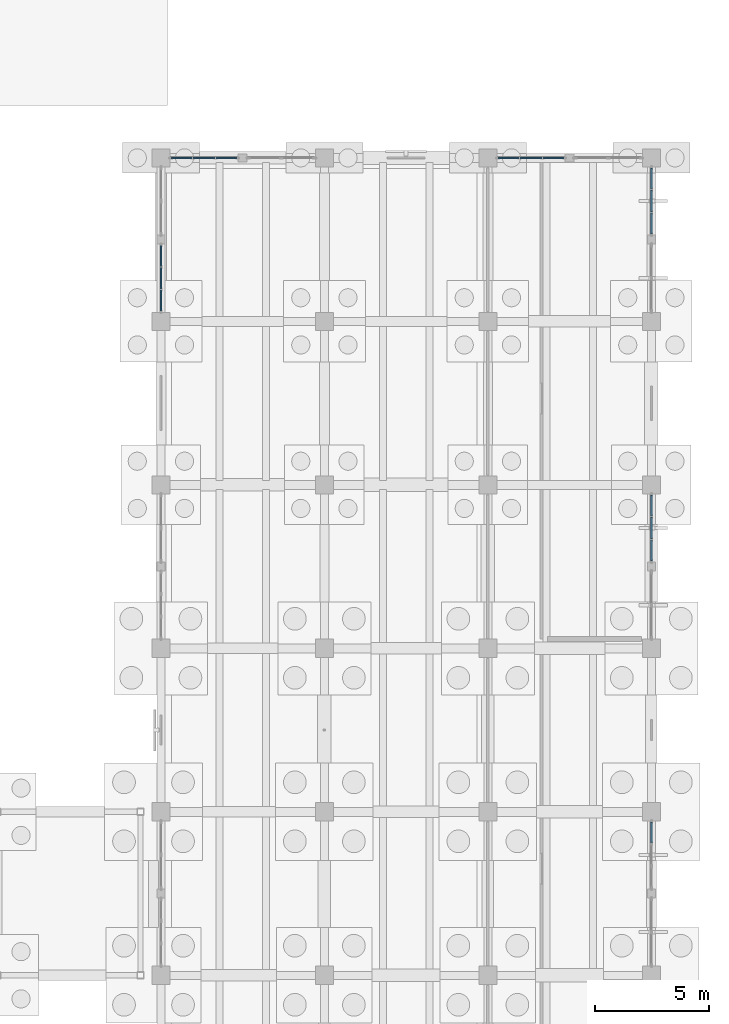
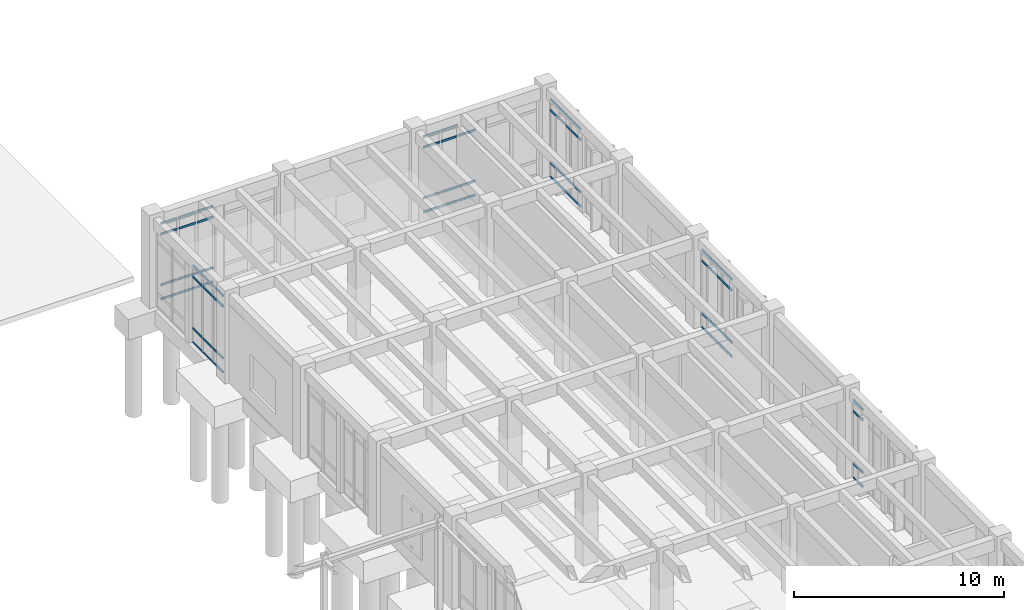
# One storey, part 47 of 93: 63 members, 6 elements without a shape of their own.
"""IFC4 building model written with IfcOpenShell, lengths in metres."""

from ifc_helpers import new_model, si_unit, direction, frame, origin, origin_2d, place, context, subcontext, project, spatial, rectangle, extrude, material, layer, layer_set, material_profile, profile_set, type_object, element, aggregate, save


model = new_model("IFC4")

# Units and contexts
model_context = context("Model", 3, precision=1e-05, world=origin(), true_north=direction((0.0, 1.0)))
body_context = subcontext(model_context, "Body", "Model", "MODEL_VIEW")
ifc_project = project(units=[si_unit("LENGTHUNIT", "METRE"), si_unit("AREAUNIT", "SQUARE_METRE"), si_unit("VOLUMEUNIT", "CUBIC_METRE"), si_unit("PLANEANGLEUNIT", "RADIAN"), si_unit("MASSUNIT", "GRAM", prefix="KILO")], contexts=[model_context])

# Site, building, storey
site_placement = place(None, origin())
site = spatial("IfcSite", under=ifc_project, at=site_placement, CompositionType="ELEMENT")
building_placement = place(site_placement, origin())
building = spatial("IfcBuilding", under=site, at=building_placement, Name="Koriwan Promenade Central Fire Station", CompositionType="ELEMENT")
storey_placement = place(building_placement, origin())
storey = spatial("IfcBuildingStorey", under=building, at=storey_placement, Name="L00", CompositionType="ELEMENT", Elevation=0.0)

# Curtain wall, members
ifc_material_1 = material(Name="Aluminium EN AW-6063-T6 and low-E glazing", Category="aluminium")
ifc_layer_1 = layer(ifc_material_1, 0.159912109375, Name="Aluminium EN AW-6063-T6 and low-E glazing")
ifc_layer_set_1 = layer_set([ifc_layer_1], Name="Aluminium EN AW-6063-T6 and low-E glazing")
curtain_wall_type_1 = type_object("IfcCurtainWallType", Name="CurtainWall_53_300x450", PredefinedType="USERDEFINED", material=ifc_layer_set_1)
curtain_wall_1_placement = place(storey_placement, origin())
curtain_wall_1 = element("IfcCurtainWall", 1, at=curtain_wall_1_placement, inside=storey, type_object=curtain_wall_type_1, Name="V5 L00 unitised curtain wall 143", ObjectType="UNITISED CURTAIN WALL", PredefinedType="USERDEFINED")
ifc_material_2 = material(Name="Aluminium EN AW-6063-T6", Category="aluminium")
ifc_material_profile = material_profile(ifc_material_2, rectangle(XDim=0.06494140625, YDim=0.1201171875, at=origin_2d()), Name="ALU-TRN-65x120")
ifc_profile_set = profile_set([ifc_material_profile], Name="Aluminium EN AW-6063-T6")
member_type = type_object("IfcMemberType", Name="CWTransom_ALU-TRN-65x120", PredefinedType="USERDEFINED", material=ifc_profile_set)
member_1_placement = place(storey_placement, frame((151.199951171875, 72.465087890625, 0.032470703125), z_axis=(0.0, 1.0, 0.0), x_axis=(-1.0, 0.0, 0.0)))
member_1 = element("IfcMember", 2, at=member_1_placement, type_object=member_type, Name="CW-53 transom 1.1", ObjectType="TRANSOM", PredefinedType="USERDEFINED", context=body_context, shape_type="SweptSolid", body=[
    extrude(rectangle(XDim=0.06494140625, YDim=0.1201171875, at=origin_2d()), origin(), (0.0, 0.0, 1.0), 0.90234375),
])
member_2_placement = place(storey_placement, frame((151.199951171875, 72.465087890625, 0.85009765625), z_axis=(0.0, 1.0, 0.0), x_axis=(-1.0, 0.0, 0.0)))
member_2 = element("IfcMember", 3, at=member_2_placement, type_object=member_type, Name="CW-53 transom 1.2", ObjectType="TRANSOM", PredefinedType="USERDEFINED", context=body_context, shape_type="SweptSolid", body=[
    extrude(rectangle(XDim=0.06494140625, YDim=0.1201171875, at=origin_2d()), origin(), (0.0, 0.0, 1.0), 0.90234375),
])
member_3_placement = place(storey_placement, frame((151.199951171875, 72.465087890625, 3.85009765625), z_axis=(0.0, 1.0, 0.0), x_axis=(-1.0, 0.0, 0.0)))
member_3 = element("IfcMember", 4, at=member_3_placement, type_object=member_type, Name="CW-53 transom 1.3", ObjectType="TRANSOM", PredefinedType="USERDEFINED", context=body_context, shape_type="SweptSolid", body=[
    extrude(rectangle(XDim=0.06494140625, YDim=0.1201171875, at=origin_2d()), origin(), (0.0, 0.0, 1.0), 0.90234375),
])
member_4_placement = place(storey_placement, frame((151.199951171875, 72.465087890625, 4.467529296875), z_axis=(0.0, 1.0, 0.0), x_axis=(-1.0, 0.0, 0.0)))
member_4 = element("IfcMember", 5, at=member_4_placement, type_object=member_type, Name="CW-53 transom 1.4", ObjectType="TRANSOM", PredefinedType="USERDEFINED", context=body_context, shape_type="SweptSolid", body=[
    extrude(rectangle(XDim=0.06494140625, YDim=0.1201171875, at=origin_2d()), origin(), (0.0, 0.0, 1.0), 0.90234375),
])
member_5_placement = place(storey_placement, frame((151.199951171875, 73.4326171875, 0.032470703125), z_axis=(0.0, 1.0, 0.0), x_axis=(-1.0, 0.0, 0.0)))
member_5 = element("IfcMember", 6, at=member_5_placement, type_object=member_type, Name="CW-53 transom 2.1", ObjectType="TRANSOM", PredefinedType="USERDEFINED", context=body_context, shape_type="SweptSolid", body=[
    extrude(rectangle(XDim=0.06494140625, YDim=0.1201171875, at=origin_2d()), origin(), (0.0, 0.0, 1.0), 0.934814453125),
])
member_6_placement = place(storey_placement, frame((151.199951171875, 73.4326171875, 0.85009765625), z_axis=(0.0, 1.0, 0.0), x_axis=(-1.0, 0.0, 0.0)))
member_6 = element("IfcMember", 7, at=member_6_placement, type_object=member_type, Name="CW-53 transom 2.2", ObjectType="TRANSOM", PredefinedType="USERDEFINED", context=body_context, shape_type="SweptSolid", body=[
    extrude(rectangle(XDim=0.06494140625, YDim=0.1201171875, at=origin_2d()), origin(), (0.0, 0.0, 1.0), 0.934814453125),
])
member_7_placement = place(storey_placement, frame((151.199951171875, 73.4326171875, 3.85009765625), z_axis=(0.0, 1.0, 0.0), x_axis=(-1.0, 0.0, 0.0)))
member_7 = element("IfcMember", 8, at=member_7_placement, type_object=member_type, Name="CW-53 transom 2.3", ObjectType="TRANSOM", PredefinedType="USERDEFINED", context=body_context, shape_type="SweptSolid", body=[
    extrude(rectangle(XDim=0.06494140625, YDim=0.1201171875, at=origin_2d()), origin(), (0.0, 0.0, 1.0), 0.934814453125),
])
member_8_placement = place(storey_placement, frame((151.199951171875, 73.4326171875, 4.467529296875), z_axis=(0.0, 1.0, 0.0), x_axis=(-1.0, 0.0, 0.0)))
member_8 = element("IfcMember", 9, at=member_8_placement, type_object=member_type, Name="CW-53 transom 2.4", ObjectType="TRANSOM", PredefinedType="USERDEFINED", context=body_context, shape_type="SweptSolid", body=[
    extrude(rectangle(XDim=0.06494140625, YDim=0.1201171875, at=origin_2d()), origin(), (0.0, 0.0, 1.0), 0.934814453125),
])
member_9_placement = place(storey_placement, frame((151.199951171875, 74.4326171875, 0.032470703125), z_axis=(0.0, 1.0, 0.0), x_axis=(-1.0, 0.0, 0.0)))
member_9 = element("IfcMember", 10, at=member_9_placement, type_object=member_type, Name="CW-53 transom 3.1", ObjectType="TRANSOM", PredefinedType="USERDEFINED", context=body_context, shape_type="SweptSolid", body=[
    extrude(rectangle(XDim=0.06494140625, YDim=0.1201171875, at=origin_2d()), origin(), (0.0, 0.0, 1.0), 0.90234375),
])
member_10_placement = place(storey_placement, frame((151.199951171875, 74.4326171875, 0.85009765625), z_axis=(0.0, 1.0, 0.0), x_axis=(-1.0, 0.0, 0.0)))
member_10 = element("IfcMember", 11, at=member_10_placement, type_object=member_type, Name="CW-53 transom 3.2", ObjectType="TRANSOM", PredefinedType="USERDEFINED", context=body_context, shape_type="SweptSolid", body=[
    extrude(rectangle(XDim=0.06494140625, YDim=0.1201171875, at=origin_2d()), origin(), (0.0, 0.0, 1.0), 0.90234375),
])
member_11_placement = place(storey_placement, frame((151.199951171875, 74.4326171875, 3.85009765625), z_axis=(0.0, 1.0, 0.0), x_axis=(-1.0, 0.0, 0.0)))
member_11 = element("IfcMember", 12, at=member_11_placement, type_object=member_type, Name="CW-53 transom 3.3", ObjectType="TRANSOM", PredefinedType="USERDEFINED", context=body_context, shape_type="SweptSolid", body=[
    extrude(rectangle(XDim=0.06494140625, YDim=0.1201171875, at=origin_2d()), origin(), (0.0, 0.0, 1.0), 0.90234375),
])
member_12_placement = place(storey_placement, frame((151.199951171875, 74.4326171875, 4.467529296875), z_axis=(0.0, 1.0, 0.0), x_axis=(-1.0, 0.0, 0.0)))
member_12 = element("IfcMember", 13, at=member_12_placement, type_object=member_type, Name="CW-53 transom 3.4", ObjectType="TRANSOM", PredefinedType="USERDEFINED", context=body_context, shape_type="SweptSolid", body=[
    extrude(rectangle(XDim=0.06494140625, YDim=0.1201171875, at=origin_2d()), origin(), (0.0, 0.0, 1.0), 0.90234375),
])
aggregate(curtain_wall_1, [member_1, member_2, member_3, member_4, member_5, member_6, member_7, member_8, member_9, member_10, member_11, member_12])

ifc_layer_2 = layer(ifc_material_1, 0.159912109375, Name="Aluminium EN AW-6063-T6 and low-E glazing")
ifc_layer_set_2 = layer_set([ifc_layer_2], Name="Aluminium EN AW-6063-T6 and low-E glazing")
curtain_wall_type_2 = type_object("IfcCurtainWallType", Name="CurtainWall_55_300x445", PredefinedType="USERDEFINED", material=ifc_layer_set_2)
curtain_wall_2_placement = place(storey_placement, origin())
curtain_wall_2 = element("IfcCurtainWall", 14, at=curtain_wall_2_placement, inside=storey, type_object=curtain_wall_type_2, Name="V5 L00 unitised curtain wall 145", ObjectType="UNITISED CURTAIN WALL", PredefinedType="USERDEFINED")
member_13_placement = place(storey_placement, frame((151.6650390625, 79.199951171875, 0.032470703125), z_axis=(1.0, 0.0, 0.0), x_axis=(0.0, 1.0, 0.0)))
member_13 = element("IfcMember", 15, at=member_13_placement, type_object=member_type, Name="CW-55 transom 1.1", ObjectType="TRANSOM", PredefinedType="USERDEFINED", context=body_context, shape_type="SweptSolid", body=[
    extrude(rectangle(XDim=0.06494140625, YDim=0.1201171875, at=origin_2d()), origin(), (0.0, 0.0, 1.0), 0.90234375),
])
member_14_placement = place(storey_placement, frame((151.6650390625, 79.199951171875, 0.85009765625), z_axis=(1.0, 0.0, 0.0), x_axis=(0.0, 1.0, 0.0)))
member_14 = element("IfcMember", 16, at=member_14_placement, type_object=member_type, Name="CW-55 transom 1.2", ObjectType="TRANSOM", PredefinedType="USERDEFINED", context=body_context, shape_type="SweptSolid", body=[
    extrude(rectangle(XDim=0.06494140625, YDim=0.1201171875, at=origin_2d()), origin(), (0.0, 0.0, 1.0), 0.90234375),
])
member_15_placement = place(storey_placement, frame((151.6650390625, 79.199951171875, 3.800048828125), z_axis=(1.0, 0.0, 0.0), x_axis=(0.0, 1.0, 0.0)))
member_15 = element("IfcMember", 17, at=member_15_placement, type_object=member_type, Name="CW-55 transom 1.3", ObjectType="TRANSOM", PredefinedType="USERDEFINED", context=body_context, shape_type="SweptSolid", body=[
    extrude(rectangle(XDim=0.06494140625, YDim=0.1201171875, at=origin_2d()), origin(), (0.0, 0.0, 1.0), 0.90234375),
])
member_16_placement = place(storey_placement, frame((151.6650390625, 79.199951171875, 4.41748046875), z_axis=(1.0, 0.0, 0.0), x_axis=(0.0, 1.0, 0.0)))
member_16 = element("IfcMember", 18, at=member_16_placement, type_object=member_type, Name="CW-55 transom 1.4", ObjectType="TRANSOM", PredefinedType="USERDEFINED", context=body_context, shape_type="SweptSolid", body=[
    extrude(rectangle(XDim=0.06494140625, YDim=0.1201171875, at=origin_2d()), origin(), (0.0, 0.0, 1.0), 0.90234375),
])
member_17_placement = place(storey_placement, frame((152.632568359375, 79.199951171875, 0.032470703125), z_axis=(1.0, 0.0, 0.0), x_axis=(0.0, 1.0, 0.0)))
member_17 = element("IfcMember", 19, at=member_17_placement, type_object=member_type, Name="CW-55 transom 2.1", ObjectType="TRANSOM", PredefinedType="USERDEFINED", context=body_context, shape_type="SweptSolid", body=[
    extrude(rectangle(XDim=0.06494140625, YDim=0.1201171875, at=origin_2d()), origin(), (0.0, 0.0, 1.0), 0.934814453125),
])
member_18_placement = place(storey_placement, frame((152.632568359375, 79.199951171875, 0.85009765625), z_axis=(1.0, 0.0, 0.0), x_axis=(0.0, 1.0, 0.0)))
member_18 = element("IfcMember", 20, at=member_18_placement, type_object=member_type, Name="CW-55 transom 2.2", ObjectType="TRANSOM", PredefinedType="USERDEFINED", context=body_context, shape_type="SweptSolid", body=[
    extrude(rectangle(XDim=0.06494140625, YDim=0.1201171875, at=origin_2d()), origin(), (0.0, 0.0, 1.0), 0.934814453125),
])
member_19_placement = place(storey_placement, frame((152.632568359375, 79.199951171875, 3.800048828125), z_axis=(1.0, 0.0, 0.0), x_axis=(0.0, 1.0, 0.0)))
member_19 = element("IfcMember", 21, at=member_19_placement, type_object=member_type, Name="CW-55 transom 2.3", ObjectType="TRANSOM", PredefinedType="USERDEFINED", context=body_context, shape_type="SweptSolid", body=[
    extrude(rectangle(XDim=0.06494140625, YDim=0.1201171875, at=origin_2d()), origin(), (0.0, 0.0, 1.0), 0.934814453125),
])
member_20_placement = place(storey_placement, frame((152.632568359375, 79.199951171875, 4.41748046875), z_axis=(1.0, 0.0, 0.0), x_axis=(0.0, 1.0, 0.0)))
member_20 = element("IfcMember", 22, at=member_20_placement, type_object=member_type, Name="CW-55 transom 2.4", ObjectType="TRANSOM", PredefinedType="USERDEFINED", context=body_context, shape_type="SweptSolid", body=[
    extrude(rectangle(XDim=0.06494140625, YDim=0.1201171875, at=origin_2d()), origin(), (0.0, 0.0, 1.0), 0.934814453125),
])
member_21_placement = place(storey_placement, frame((153.632568359375, 79.199951171875, 0.032470703125), z_axis=(1.0, 0.0, 0.0), x_axis=(0.0, 1.0, 0.0)))
member_21 = element("IfcMember", 23, at=member_21_placement, type_object=member_type, Name="CW-55 transom 3.1", ObjectType="TRANSOM", PredefinedType="USERDEFINED", context=body_context, shape_type="SweptSolid", body=[
    extrude(rectangle(XDim=0.06494140625, YDim=0.1201171875, at=origin_2d()), origin(), (0.0, 0.0, 1.0), 0.90234375),
])
member_22_placement = place(storey_placement, frame((153.632568359375, 79.199951171875, 0.85009765625), z_axis=(1.0, 0.0, 0.0), x_axis=(0.0, 1.0, 0.0)))
member_22 = element("IfcMember", 24, at=member_22_placement, type_object=member_type, Name="CW-55 transom 3.2", ObjectType="TRANSOM", PredefinedType="USERDEFINED", context=body_context, shape_type="SweptSolid", body=[
    extrude(rectangle(XDim=0.06494140625, YDim=0.1201171875, at=origin_2d()), origin(), (0.0, 0.0, 1.0), 0.90234375),
])
member_23_placement = place(storey_placement, frame((153.632568359375, 79.199951171875, 3.800048828125), z_axis=(1.0, 0.0, 0.0), x_axis=(0.0, 1.0, 0.0)))
member_23 = element("IfcMember", 25, at=member_23_placement, type_object=member_type, Name="CW-55 transom 3.3", ObjectType="TRANSOM", PredefinedType="USERDEFINED", context=body_context, shape_type="SweptSolid", body=[
    extrude(rectangle(XDim=0.06494140625, YDim=0.1201171875, at=origin_2d()), origin(), (0.0, 0.0, 1.0), 0.90234375),
])
member_24_placement = place(storey_placement, frame((153.632568359375, 79.199951171875, 4.41748046875), z_axis=(1.0, 0.0, 0.0), x_axis=(0.0, 1.0, 0.0)))
member_24 = element("IfcMember", 26, at=member_24_placement, type_object=member_type, Name="CW-55 transom 3.4", ObjectType="TRANSOM", PredefinedType="USERDEFINED", context=body_context, shape_type="SweptSolid", body=[
    extrude(rectangle(XDim=0.06494140625, YDim=0.1201171875, at=origin_2d()), origin(), (0.0, 0.0, 1.0), 0.90234375),
])
aggregate(curtain_wall_2, [member_13, member_14, member_15, member_16, member_17, member_18, member_19, member_20, member_21, member_22, member_23, member_24])

curtain_wall_3_placement = place(storey_placement, origin())
curtain_wall_3 = element("IfcCurtainWall", 27, at=curtain_wall_3_placement, inside=storey, type_object=curtain_wall_type_2, Name="V5 L00 unitised curtain wall 147", ObjectType="UNITISED CURTAIN WALL", PredefinedType="USERDEFINED")
member_25_placement = place(storey_placement, frame((166.06494140625, 79.199951171875, 0.032470703125), z_axis=(1.0, 0.0, 0.0), x_axis=(0.0, 1.0, 0.0)))
member_25 = element("IfcMember", 28, at=member_25_placement, type_object=member_type, Name="CW-55 transom 1.1", ObjectType="TRANSOM", PredefinedType="USERDEFINED", context=body_context, shape_type="SweptSolid", body=[
    extrude(rectangle(XDim=0.06494140625, YDim=0.1201171875, at=origin_2d()), origin(), (0.0, 0.0, 1.0), 0.902587890625),
])
member_26_placement = place(storey_placement, frame((166.06494140625, 79.199951171875, 0.85009765625), z_axis=(1.0, 0.0, 0.0), x_axis=(0.0, 1.0, 0.0)))
member_26 = element("IfcMember", 29, at=member_26_placement, type_object=member_type, Name="CW-55 transom 1.2", ObjectType="TRANSOM", PredefinedType="USERDEFINED", context=body_context, shape_type="SweptSolid", body=[
    extrude(rectangle(XDim=0.06494140625, YDim=0.1201171875, at=origin_2d()), origin(), (0.0, 0.0, 1.0), 0.902587890625),
])
member_27_placement = place(storey_placement, frame((166.06494140625, 79.199951171875, 3.800048828125), z_axis=(1.0, 0.0, 0.0), x_axis=(0.0, 1.0, 0.0)))
member_27 = element("IfcMember", 30, at=member_27_placement, type_object=member_type, Name="CW-55 transom 1.3", ObjectType="TRANSOM", PredefinedType="USERDEFINED", context=body_context, shape_type="SweptSolid", body=[
    extrude(rectangle(XDim=0.06494140625, YDim=0.1201171875, at=origin_2d()), origin(), (0.0, 0.0, 1.0), 0.902587890625),
])
member_28_placement = place(storey_placement, frame((166.06494140625, 79.199951171875, 4.41748046875), z_axis=(1.0, 0.0, 0.0), x_axis=(0.0, 1.0, 0.0)))
member_28 = element("IfcMember", 31, at=member_28_placement, type_object=member_type, Name="CW-55 transom 1.4", ObjectType="TRANSOM", PredefinedType="USERDEFINED", context=body_context, shape_type="SweptSolid", body=[
    extrude(rectangle(XDim=0.06494140625, YDim=0.1201171875, at=origin_2d()), origin(), (0.0, 0.0, 1.0), 0.902587890625),
])
member_29_placement = place(storey_placement, frame((167.032470703125, 79.199951171875, 0.032470703125), z_axis=(1.0, 0.0, 0.0), x_axis=(0.0, 1.0, 0.0)))
member_29 = element("IfcMember", 32, at=member_29_placement, type_object=member_type, Name="CW-55 transom 2.1", ObjectType="TRANSOM", PredefinedType="USERDEFINED", context=body_context, shape_type="SweptSolid", body=[
    extrude(rectangle(XDim=0.06494140625, YDim=0.1201171875, at=origin_2d()), origin(), (0.0, 0.0, 1.0), 0.93505859375),
])
member_30_placement = place(storey_placement, frame((167.032470703125, 79.199951171875, 0.85009765625), z_axis=(1.0, 0.0, 0.0), x_axis=(0.0, 1.0, 0.0)))
member_30 = element("IfcMember", 33, at=member_30_placement, type_object=member_type, Name="CW-55 transom 2.2", ObjectType="TRANSOM", PredefinedType="USERDEFINED", context=body_context, shape_type="SweptSolid", body=[
    extrude(rectangle(XDim=0.06494140625, YDim=0.1201171875, at=origin_2d()), origin(), (0.0, 0.0, 1.0), 0.93505859375),
])
member_31_placement = place(storey_placement, frame((167.032470703125, 79.199951171875, 3.800048828125), z_axis=(1.0, 0.0, 0.0), x_axis=(0.0, 1.0, 0.0)))
member_31 = element("IfcMember", 34, at=member_31_placement, type_object=member_type, Name="CW-55 transom 2.3", ObjectType="TRANSOM", PredefinedType="USERDEFINED", context=body_context, shape_type="SweptSolid", body=[
    extrude(rectangle(XDim=0.06494140625, YDim=0.1201171875, at=origin_2d()), origin(), (0.0, 0.0, 1.0), 0.93505859375),
])
member_32_placement = place(storey_placement, frame((167.032470703125, 79.199951171875, 4.41748046875), z_axis=(1.0, 0.0, 0.0), x_axis=(0.0, 1.0, 0.0)))
member_32 = element("IfcMember", 35, at=member_32_placement, type_object=member_type, Name="CW-55 transom 2.4", ObjectType="TRANSOM", PredefinedType="USERDEFINED", context=body_context, shape_type="SweptSolid", body=[
    extrude(rectangle(XDim=0.06494140625, YDim=0.1201171875, at=origin_2d()), origin(), (0.0, 0.0, 1.0), 0.93505859375),
])
member_33_placement = place(storey_placement, frame((168.032470703125, 79.199951171875, 0.032470703125), z_axis=(1.0, 0.0, 0.0), x_axis=(0.0, 1.0, 0.0)))
member_33 = element("IfcMember", 36, at=member_33_placement, type_object=member_type, Name="CW-55 transom 3.1", ObjectType="TRANSOM", PredefinedType="USERDEFINED", context=body_context, shape_type="SweptSolid", body=[
    extrude(rectangle(XDim=0.06494140625, YDim=0.1201171875, at=origin_2d()), origin(), (0.0, 0.0, 1.0), 0.902587890625),
])
member_34_placement = place(storey_placement, frame((168.032470703125, 79.199951171875, 0.85009765625), z_axis=(1.0, 0.0, 0.0), x_axis=(0.0, 1.0, 0.0)))
member_34 = element("IfcMember", 37, at=member_34_placement, type_object=member_type, Name="CW-55 transom 3.2", ObjectType="TRANSOM", PredefinedType="USERDEFINED", context=body_context, shape_type="SweptSolid", body=[
    extrude(rectangle(XDim=0.06494140625, YDim=0.1201171875, at=origin_2d()), origin(), (0.0, 0.0, 1.0), 0.902587890625),
])
member_35_placement = place(storey_placement, frame((168.032470703125, 79.199951171875, 3.800048828125), z_axis=(1.0, 0.0, 0.0), x_axis=(0.0, 1.0, 0.0)))
member_35 = element("IfcMember", 38, at=member_35_placement, type_object=member_type, Name="CW-55 transom 3.3", ObjectType="TRANSOM", PredefinedType="USERDEFINED", context=body_context, shape_type="SweptSolid", body=[
    extrude(rectangle(XDim=0.06494140625, YDim=0.1201171875, at=origin_2d()), origin(), (0.0, 0.0, 1.0), 0.902587890625),
])
aggregate(curtain_wall_3, [member_25, member_26, member_27, member_28, member_29, member_30, member_31, member_32, member_33, member_34, member_35])

ifc_layer_3 = layer(ifc_material_1, 0.159912109375, Name="Aluminium EN AW-6063-T6 and low-E glazing")
ifc_layer_set_3 = layer_set([ifc_layer_3], Name="Aluminium EN AW-6063-T6 and low-E glazing")
curtain_wall_type_3 = type_object("IfcCurtainWallType", Name="CurtainWall_57_300x455", PredefinedType="USERDEFINED", material=ifc_layer_set_3)
curtain_wall_4_placement = place(storey_placement, origin())
curtain_wall_4 = element("IfcCurtainWall", 39, at=curtain_wall_4_placement, inside=storey, type_object=curtain_wall_type_3, Name="V5 L00 unitised curtain wall 149", ObjectType="UNITISED CURTAIN WALL", PredefinedType="USERDEFINED")
member_36_placement = place(storey_placement, frame((172.800048828125, 78.735107421875, 0.032470703125), z_axis=(0.0, -1.0, 0.0), x_axis=(1.0, 0.0, 0.0)))
member_36 = element("IfcMember", 40, at=member_36_placement, type_object=member_type, Name="CW-57 transom 1.1", ObjectType="TRANSOM", PredefinedType="USERDEFINED", context=body_context, shape_type="SweptSolid", body=[
    extrude(rectangle(XDim=0.06494140625, YDim=0.1201171875, at=origin_2d()), origin(), (0.0, 0.0, 1.0), 0.902587890625),
])
member_37_placement = place(storey_placement, frame((172.800048828125, 78.735107421875, 0.85009765625), z_axis=(0.0, -1.0, 0.0), x_axis=(1.0, 0.0, 0.0)))
member_37 = element("IfcMember", 41, at=member_37_placement, type_object=member_type, Name="CW-57 transom 1.2", ObjectType="TRANSOM", PredefinedType="USERDEFINED", context=body_context, shape_type="SweptSolid", body=[
    extrude(rectangle(XDim=0.06494140625, YDim=0.1201171875, at=origin_2d()), origin(), (0.0, 0.0, 1.0), 0.902587890625),
])
member_38_placement = place(storey_placement, frame((172.800048828125, 78.735107421875, 3.89990234375), z_axis=(0.0, -1.0, 0.0), x_axis=(1.0, 0.0, 0.0)))
member_38 = element("IfcMember", 42, at=member_38_placement, type_object=member_type, Name="CW-57 transom 1.3", ObjectType="TRANSOM", PredefinedType="USERDEFINED", context=body_context, shape_type="SweptSolid", body=[
    extrude(rectangle(XDim=0.06494140625, YDim=0.1201171875, at=origin_2d()), origin(), (0.0, 0.0, 1.0), 0.902587890625),
])
member_39_placement = place(storey_placement, frame((172.800048828125, 78.735107421875, 4.517578125), z_axis=(0.0, -1.0, 0.0), x_axis=(1.0, 0.0, 0.0)))
member_39 = element("IfcMember", 43, at=member_39_placement, type_object=member_type, Name="CW-57 transom 1.4", ObjectType="TRANSOM", PredefinedType="USERDEFINED", context=body_context, shape_type="SweptSolid", body=[
    extrude(rectangle(XDim=0.06494140625, YDim=0.1201171875, at=origin_2d()), origin(), (0.0, 0.0, 1.0), 0.902587890625),
])
member_40_placement = place(storey_placement, frame((172.800048828125, 77.767578125, 0.032470703125), z_axis=(0.0, -1.0, 0.0), x_axis=(1.0, 0.0, 0.0)))
member_40 = element("IfcMember", 44, at=member_40_placement, type_object=member_type, Name="CW-57 transom 2.1", ObjectType="TRANSOM", PredefinedType="USERDEFINED", context=body_context, shape_type="SweptSolid", body=[
    extrude(rectangle(XDim=0.06494140625, YDim=0.1201171875, at=origin_2d()), origin(), (0.0, 0.0, 1.0), 0.93505859375),
])
member_41_placement = place(storey_placement, frame((172.800048828125, 77.767578125, 0.85009765625), z_axis=(0.0, -1.0, 0.0), x_axis=(1.0, 0.0, 0.0)))
member_41 = element("IfcMember", 45, at=member_41_placement, type_object=member_type, Name="CW-57 transom 2.2", ObjectType="TRANSOM", PredefinedType="USERDEFINED", context=body_context, shape_type="SweptSolid", body=[
    extrude(rectangle(XDim=0.06494140625, YDim=0.1201171875, at=origin_2d()), origin(), (0.0, 0.0, 1.0), 0.93505859375),
])
member_42_placement = place(storey_placement, frame((172.800048828125, 77.767578125, 3.89990234375), z_axis=(0.0, -1.0, 0.0), x_axis=(1.0, 0.0, 0.0)))
member_42 = element("IfcMember", 46, at=member_42_placement, type_object=member_type, Name="CW-57 transom 2.3", ObjectType="TRANSOM", PredefinedType="USERDEFINED", context=body_context, shape_type="SweptSolid", body=[
    extrude(rectangle(XDim=0.06494140625, YDim=0.1201171875, at=origin_2d()), origin(), (0.0, 0.0, 1.0), 0.93505859375),
])
member_43_placement = place(storey_placement, frame((172.800048828125, 77.767578125, 4.517578125), z_axis=(0.0, -1.0, 0.0), x_axis=(1.0, 0.0, 0.0)))
member_43 = element("IfcMember", 47, at=member_43_placement, type_object=member_type, Name="CW-57 transom 2.4", ObjectType="TRANSOM", PredefinedType="USERDEFINED", context=body_context, shape_type="SweptSolid", body=[
    extrude(rectangle(XDim=0.06494140625, YDim=0.1201171875, at=origin_2d()), origin(), (0.0, 0.0, 1.0), 0.93505859375),
])
member_44_placement = place(storey_placement, frame((172.800048828125, 76.767578125, 0.032470703125), z_axis=(0.0, -1.0, 0.0), x_axis=(1.0, 0.0, 0.0)))
member_44 = element("IfcMember", 48, at=member_44_placement, type_object=member_type, Name="CW-57 transom 3.1", ObjectType="TRANSOM", PredefinedType="USERDEFINED", context=body_context, shape_type="SweptSolid", body=[
    extrude(rectangle(XDim=0.06494140625, YDim=0.1201171875, at=origin_2d()), origin(), (0.0, 0.0, 1.0), 0.902587890625),
])
member_45_placement = place(storey_placement, frame((172.800048828125, 76.767578125, 0.85009765625), z_axis=(0.0, -1.0, 0.0), x_axis=(1.0, 0.0, 0.0)))
member_45 = element("IfcMember", 49, at=member_45_placement, type_object=member_type, Name="CW-57 transom 3.2", ObjectType="TRANSOM", PredefinedType="USERDEFINED", context=body_context, shape_type="SweptSolid", body=[
    extrude(rectangle(XDim=0.06494140625, YDim=0.1201171875, at=origin_2d()), origin(), (0.0, 0.0, 1.0), 0.902587890625),
])
member_46_placement = place(storey_placement, frame((172.800048828125, 76.767578125, 3.89990234375), z_axis=(0.0, -1.0, 0.0), x_axis=(1.0, 0.0, 0.0)))
member_46 = element("IfcMember", 50, at=member_46_placement, type_object=member_type, Name="CW-57 transom 3.3", ObjectType="TRANSOM", PredefinedType="USERDEFINED", context=body_context, shape_type="SweptSolid", body=[
    extrude(rectangle(XDim=0.06494140625, YDim=0.1201171875, at=origin_2d()), origin(), (0.0, 0.0, 1.0), 0.902587890625),
])
member_47_placement = place(storey_placement, frame((172.800048828125, 76.767578125, 4.517578125), z_axis=(0.0, -1.0, 0.0), x_axis=(1.0, 0.0, 0.0)))
member_47 = element("IfcMember", 51, at=member_47_placement, type_object=member_type, Name="CW-57 transom 3.4", ObjectType="TRANSOM", PredefinedType="USERDEFINED", context=body_context, shape_type="SweptSolid", body=[
    extrude(rectangle(XDim=0.06494140625, YDim=0.1201171875, at=origin_2d()), origin(), (0.0, 0.0, 1.0), 0.902587890625),
])
aggregate(curtain_wall_4, [member_36, member_37, member_38, member_39, member_40, member_41, member_42, member_43, member_44, member_45, member_46, member_47])

ifc_layer_4 = layer(ifc_material_1, 0.159912109375, Name="Aluminium EN AW-6063-T6 and low-E glazing")
ifc_layer_set_4 = layer_set([ifc_layer_4], Name="Aluminium EN AW-6063-T6 and low-E glazing")
curtain_wall_type_4 = type_object("IfcCurtainWallType", Name="CurtainWall_59_300x454", PredefinedType="USERDEFINED", material=ifc_layer_set_4)
curtain_wall_5_placement = place(storey_placement, origin())
curtain_wall_5 = element("IfcCurtainWall", 52, at=curtain_wall_5_placement, inside=storey, type_object=curtain_wall_type_4, Name="V5 L00 unitised curtain wall 151", ObjectType="UNITISED CURTAIN WALL", PredefinedType="USERDEFINED")
member_48_placement = place(storey_placement, frame((172.800048828125, 64.3349609375, 0.032470703125), z_axis=(0.0, -1.0, 0.0), x_axis=(1.0, 0.0, 0.0)))
member_48 = element("IfcMember", 53, at=member_48_placement, type_object=member_type, Name="CW-59 transom 1.1", ObjectType="TRANSOM", PredefinedType="USERDEFINED", context=body_context, shape_type="SweptSolid", body=[
    extrude(rectangle(XDim=0.06494140625, YDim=0.1201171875, at=origin_2d()), origin(), (0.0, 0.0, 1.0), 0.90234375),
])
member_49_placement = place(storey_placement, frame((172.800048828125, 64.3349609375, 0.85009765625), z_axis=(0.0, -1.0, 0.0), x_axis=(1.0, 0.0, 0.0)))
member_49 = element("IfcMember", 54, at=member_49_placement, type_object=member_type, Name="CW-59 transom 1.2", ObjectType="TRANSOM", PredefinedType="USERDEFINED", context=body_context, shape_type="SweptSolid", body=[
    extrude(rectangle(XDim=0.06494140625, YDim=0.1201171875, at=origin_2d()), origin(), (0.0, 0.0, 1.0), 0.90234375),
])
member_50_placement = place(storey_placement, frame((172.800048828125, 64.3349609375, 3.889892578125), z_axis=(0.0, -1.0, 0.0), x_axis=(1.0, 0.0, 0.0)))
member_50 = element("IfcMember", 55, at=member_50_placement, type_object=member_type, Name="CW-59 transom 1.3", ObjectType="TRANSOM", PredefinedType="USERDEFINED", context=body_context, shape_type="SweptSolid", body=[
    extrude(rectangle(XDim=0.06494140625, YDim=0.1201171875, at=origin_2d()), origin(), (0.0, 0.0, 1.0), 0.90234375),
])
member_51_placement = place(storey_placement, frame((172.800048828125, 64.3349609375, 4.507568359375), z_axis=(0.0, -1.0, 0.0), x_axis=(1.0, 0.0, 0.0)))
member_51 = element("IfcMember", 56, at=member_51_placement, type_object=member_type, Name="CW-59 transom 1.4", ObjectType="TRANSOM", PredefinedType="USERDEFINED", context=body_context, shape_type="SweptSolid", body=[
    extrude(rectangle(XDim=0.06494140625, YDim=0.1201171875, at=origin_2d()), origin(), (0.0, 0.0, 1.0), 0.90234375),
])
member_52_placement = place(storey_placement, frame((172.800048828125, 63.367431640625, 0.032470703125), z_axis=(0.0, -1.0, 0.0), x_axis=(1.0, 0.0, 0.0)))
member_52 = element("IfcMember", 57, at=member_52_placement, type_object=member_type, Name="CW-59 transom 2.1", ObjectType="TRANSOM", PredefinedType="USERDEFINED", context=body_context, shape_type="SweptSolid", body=[
    extrude(rectangle(XDim=0.06494140625, YDim=0.1201171875, at=origin_2d()), origin(), (0.0, 0.0, 1.0), 0.934814453125),
])
member_53_placement = place(storey_placement, frame((172.800048828125, 63.367431640625, 0.85009765625), z_axis=(0.0, -1.0, 0.0), x_axis=(1.0, 0.0, 0.0)))
member_53 = element("IfcMember", 58, at=member_53_placement, type_object=member_type, Name="CW-59 transom 2.2", ObjectType="TRANSOM", PredefinedType="USERDEFINED", context=body_context, shape_type="SweptSolid", body=[
    extrude(rectangle(XDim=0.06494140625, YDim=0.1201171875, at=origin_2d()), origin(), (0.0, 0.0, 1.0), 0.934814453125),
])
member_54_placement = place(storey_placement, frame((172.800048828125, 63.367431640625, 3.889892578125), z_axis=(0.0, -1.0, 0.0), x_axis=(1.0, 0.0, 0.0)))
member_54 = element("IfcMember", 59, at=member_54_placement, type_object=member_type, Name="CW-59 transom 2.3", ObjectType="TRANSOM", PredefinedType="USERDEFINED", context=body_context, shape_type="SweptSolid", body=[
    extrude(rectangle(XDim=0.06494140625, YDim=0.1201171875, at=origin_2d()), origin(), (0.0, 0.0, 1.0), 0.934814453125),
])
member_55_placement = place(storey_placement, frame((172.800048828125, 63.367431640625, 4.507568359375), z_axis=(0.0, -1.0, 0.0), x_axis=(1.0, 0.0, 0.0)))
member_55 = element("IfcMember", 60, at=member_55_placement, type_object=member_type, Name="CW-59 transom 2.4", ObjectType="TRANSOM", PredefinedType="USERDEFINED", context=body_context, shape_type="SweptSolid", body=[
    extrude(rectangle(XDim=0.06494140625, YDim=0.1201171875, at=origin_2d()), origin(), (0.0, 0.0, 1.0), 0.934814453125),
])
member_56_placement = place(storey_placement, frame((172.800048828125, 62.367431640625, 0.032470703125), z_axis=(0.0, -1.0, 0.0), x_axis=(1.0, 0.0, 0.0)))
member_56 = element("IfcMember", 61, at=member_56_placement, type_object=member_type, Name="CW-59 transom 3.1", ObjectType="TRANSOM", PredefinedType="USERDEFINED", context=body_context, shape_type="SweptSolid", body=[
    extrude(rectangle(XDim=0.06494140625, YDim=0.1201171875, at=origin_2d()), origin(), (0.0, 0.0, 1.0), 0.90234375),
])
member_57_placement = place(storey_placement, frame((172.800048828125, 62.367431640625, 0.85009765625), z_axis=(0.0, -1.0, 0.0), x_axis=(1.0, 0.0, 0.0)))
member_57 = element("IfcMember", 62, at=member_57_placement, type_object=member_type, Name="CW-59 transom 3.2", ObjectType="TRANSOM", PredefinedType="USERDEFINED", context=body_context, shape_type="SweptSolid", body=[
    extrude(rectangle(XDim=0.06494140625, YDim=0.1201171875, at=origin_2d()), origin(), (0.0, 0.0, 1.0), 0.90234375),
])
member_58_placement = place(storey_placement, frame((172.800048828125, 62.367431640625, 3.889892578125), z_axis=(0.0, -1.0, 0.0), x_axis=(1.0, 0.0, 0.0)))
member_58 = element("IfcMember", 63, at=member_58_placement, type_object=member_type, Name="CW-59 transom 3.3", ObjectType="TRANSOM", PredefinedType="USERDEFINED", context=body_context, shape_type="SweptSolid", body=[
    extrude(rectangle(XDim=0.06494140625, YDim=0.1201171875, at=origin_2d()), origin(), (0.0, 0.0, 1.0), 0.90234375),
])
member_59_placement = place(storey_placement, frame((172.800048828125, 62.367431640625, 4.507568359375), z_axis=(0.0, -1.0, 0.0), x_axis=(1.0, 0.0, 0.0)))
member_59 = element("IfcMember", 64, at=member_59_placement, type_object=member_type, Name="CW-59 transom 3.4", ObjectType="TRANSOM", PredefinedType="USERDEFINED", context=body_context, shape_type="SweptSolid", body=[
    extrude(rectangle(XDim=0.06494140625, YDim=0.1201171875, at=origin_2d()), origin(), (0.0, 0.0, 1.0), 0.90234375),
])
aggregate(curtain_wall_5, [member_48, member_49, member_50, member_51, member_52, member_53, member_54, member_55, member_56, member_57, member_58, member_59])

curtain_wall_6_placement = place(storey_placement, origin())
curtain_wall_6 = element("IfcCurtainWall", 65, at=curtain_wall_6_placement, inside=storey, type_object=curtain_wall_type_4, Name="V5 L00 unitised curtain wall 153", ObjectType="UNITISED CURTAIN WALL", PredefinedType="USERDEFINED")
member_60_placement = place(storey_placement, frame((172.800048828125, 49.93505859375, 0.032470703125), z_axis=(0.0, -1.0, 0.0), x_axis=(1.0, 0.0, 0.0)))
member_60 = element("IfcMember", 66, at=member_60_placement, type_object=member_type, Name="CW-59 transom 1.1", ObjectType="TRANSOM", PredefinedType="USERDEFINED", context=body_context, shape_type="SweptSolid", body=[
    extrude(rectangle(XDim=0.06494140625, YDim=0.1201171875, at=origin_2d()), origin(), (0.0, 0.0, 1.0), 0.902587890625),
])
member_61_placement = place(storey_placement, frame((172.800048828125, 49.93505859375, 0.85009765625), z_axis=(0.0, -1.0, 0.0), x_axis=(1.0, 0.0, 0.0)))
member_61 = element("IfcMember", 67, at=member_61_placement, type_object=member_type, Name="CW-59 transom 1.2", ObjectType="TRANSOM", PredefinedType="USERDEFINED", context=body_context, shape_type="SweptSolid", body=[
    extrude(rectangle(XDim=0.06494140625, YDim=0.1201171875, at=origin_2d()), origin(), (0.0, 0.0, 1.0), 0.902587890625),
])
member_62_placement = place(storey_placement, frame((172.800048828125, 49.93505859375, 3.889892578125), z_axis=(0.0, -1.0, 0.0), x_axis=(1.0, 0.0, 0.0)))
member_62 = element("IfcMember", 68, at=member_62_placement, type_object=member_type, Name="CW-59 transom 1.3", ObjectType="TRANSOM", PredefinedType="USERDEFINED", context=body_context, shape_type="SweptSolid", body=[
    extrude(rectangle(XDim=0.06494140625, YDim=0.1201171875, at=origin_2d()), origin(), (0.0, 0.0, 1.0), 0.902587890625),
])
member_63_placement = place(storey_placement, frame((172.800048828125, 49.93505859375, 4.507568359375), z_axis=(0.0, -1.0, 0.0), x_axis=(1.0, 0.0, 0.0)))
member_63 = element("IfcMember", 69, at=member_63_placement, type_object=member_type, Name="CW-59 transom 1.4", ObjectType="TRANSOM", PredefinedType="USERDEFINED", context=body_context, shape_type="SweptSolid", body=[
    extrude(rectangle(XDim=0.06494140625, YDim=0.1201171875, at=origin_2d()), origin(), (0.0, 0.0, 1.0), 0.902587890625),
])
aggregate(curtain_wall_6, [member_60, member_61, member_62, member_63])

save(model, "model.ifc")
